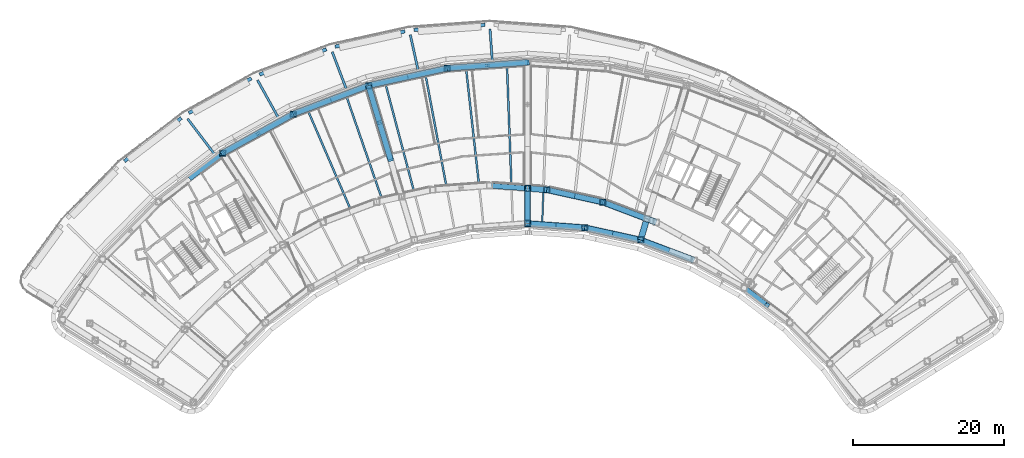
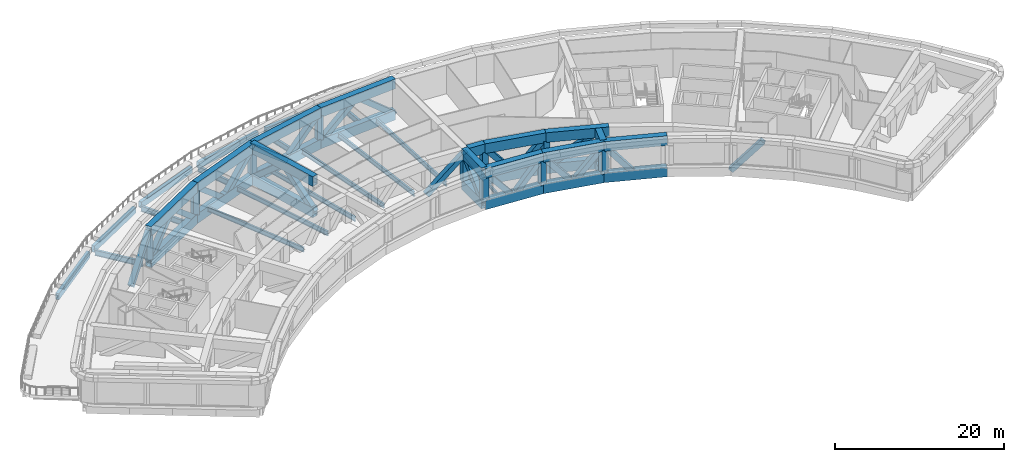
# One storey, part 3 of 24: 43 beams, 34 members.
"""IFC4 building model written with IfcOpenShell, lengths in metres."""

from ifc_helpers import new_model, si_unit, direction, frame, origin, origin_2d, place, context, subcontext, project, spatial, hollow_rectangle, i_section, extrude, material, material_profile, profile_set, type_object, element, save


model = new_model("IFC4")

# Units and contexts
model_context = context("Model", 3, precision=1e-05, world=origin(), true_north=direction((0.0, 1.0)))
body_context = subcontext(model_context, "Body", "Model", "MODEL_VIEW")
ifc_project = project(units=[si_unit("LENGTHUNIT", "METRE"), si_unit("AREAUNIT", "SQUARE_METRE"), si_unit("VOLUMEUNIT", "CUBIC_METRE"), si_unit("PLANEANGLEUNIT", "RADIAN"), si_unit("MASSUNIT", "GRAM", prefix="KILO")], contexts=[model_context])

# Site, building, storey
site_placement = place(None, origin())
site = spatial("IfcSite", under=ifc_project, at=site_placement, CompositionType="ELEMENT")
building_placement = place(site_placement, origin())
building = spatial("IfcBuilding", under=site, at=building_placement, Name="Tuul Gate Civic Tower", CompositionType="ELEMENT")
storey_placement = place(building_placement, frame((0.0, 0.0, 94.800048828125)))
storey = spatial("IfcBuildingStorey", under=building, at=storey_placement, Name="Plant and refuge floor 3", CompositionType="ELEMENT", Elevation=94.800048828125)

# Beams
ifc_material_1 = material(Name="Steel S355", Category="steel")
ifc_material_profile_1 = material_profile(ifc_material_1, i_section(OverallWidth=0.199951171875, OverallDepth=0.5, WebThickness=0.010009765625, FlangeThickness=0.01611328125, at=origin_2d()), Name="PG500x200x10x16")
ifc_profile_set_1 = profile_set([ifc_material_profile_1], Name="Steel S355")
beam_type_1 = type_object("IfcBeamType", Name="STR-FLOOR BEAM-PG500x200x10x16", PredefinedType="BEAM", material=ifc_profile_set_1)
beam_1_placement = place(storey_placement, frame((11.781982421875, -7.459716796875, -0.650146484375), z_axis=(0.036995643241, 0.99931542687, 0.0), x_axis=(-0.99931542687, 0.036995643241, 0.0)))
element("IfcBeam", 1, at=beam_1_placement, inside=storey, type_object=beam_type_1, Name="Floor beam", PredefinedType="BEAM", context=body_context, shape_type="SweptSolid", body=[
    extrude(i_section(OverallWidth=0.199951171875, OverallDepth=0.5, WebThickness=0.010009765625, FlangeThickness=0.01611328125, at=origin_2d()), origin(), (0.0, 0.0, 1.0), 3.9462890625),
])
ifc_material_2 = material(Name="Steel S355", Category="steel")
ifc_material_profile_2 = material_profile(ifc_material_2, i_section(OverallWidth=0.25, OverallDepth=0.64990234375, WebThickness=0.011962890625, FlangeThickness=0.02001953125, at=origin_2d()), Name="PG650x250x12x20")
ifc_profile_set_2 = profile_set([ifc_material_profile_2], Name="Steel S355")
beam_type_2 = type_object("IfcBeamType", Name="STR-FLOOR BEAM-PG650x250x12x20", PredefinedType="BEAM", material=ifc_profile_set_2)
beam_2_placement = place(storey_placement, frame((7.6923828125, -2.50732421875, -0.72509765625), z_axis=(-0.03698801377, 0.999315709292, 0.0), x_axis=(-0.999315709292, -0.03698801377, 0.0)))
element("IfcBeam", 2, at=beam_2_placement, inside=storey, type_object=beam_type_2, Name="Floor beam", PredefinedType="BEAM", context=body_context, shape_type="SweptSolid", body=[
    extrude(i_section(OverallWidth=0.25, OverallDepth=0.64990234375, WebThickness=0.011962890625, FlangeThickness=0.02001953125, at=origin_2d()), origin(), (0.0, 0.0, 1.0), 15.656494140625),
])
beam_3_placement = place(storey_placement, frame((3.38427734375, -2.4013671875, -0.72509765625), z_axis=(-0.110781378607, 0.993844799832, 0.0), x_axis=(-0.993844799832, -0.110781378607, 0.0)))
element("IfcBeam", 3, at=beam_3_placement, inside=storey, type_object=beam_type_2, Name="Floor beam", PredefinedType="BEAM", context=body_context, shape_type="SweptSolid", body=[
    extrude(i_section(OverallWidth=0.25, OverallDepth=0.64990234375, WebThickness=0.011962890625, FlangeThickness=0.02001953125, at=origin_2d()), origin(), (0.0, 0.0, 1.0), 15.241455078125),
])
beam_4_placement = place(storey_placement, frame((-0.932861328125, -2.71435546875, -0.72509765625), z_axis=(-0.183982763304, 0.982929469905, 0.0), x_axis=(-0.982929469905, -0.183982763304, 0.0)))
element("IfcBeam", 4, at=beam_4_placement, inside=storey, type_object=beam_type_2, Name="Floor beam", PredefinedType="BEAM", context=body_context, shape_type="SweptSolid", body=[
    extrude(i_section(OverallWidth=0.25, OverallDepth=0.64990234375, WebThickness=0.011962890625, FlangeThickness=0.02001953125, at=origin_2d()), origin(), (0.0, 0.0, 1.0), 14.896728515625),
])
beam_5_placement = place(storey_placement, frame((-5.23046875, -3.383056640625, -0.72509765625), z_axis=(-0.256156289399, 0.966635378724, 0.0), x_axis=(-0.966635378724, -0.256156289399, 0.0)))
element("IfcBeam", 5, at=beam_5_placement, inside=storey, type_object=beam_type_2, Name="Floor beam", PredefinedType="BEAM", context=body_context, shape_type="SweptSolid", body=[
    extrude(i_section(OverallWidth=0.25, OverallDepth=0.64990234375, WebThickness=0.011962890625, FlangeThickness=0.02001953125, at=origin_2d()), origin(), (0.0, 0.0, 1.0), 14.6298828125),
])
beam_6_placement = place(storey_placement, frame((-9.5048828125, -4.324462890625, -0.72509765625), z_axis=(-0.326925758189, 0.945050024407, 0.0), x_axis=(-0.945050024407, -0.326925758189, 0.0)))
element("IfcBeam", 6, at=beam_6_placement, inside=storey, type_object=beam_type_2, Name="Floor beam", PredefinedType="BEAM", context=body_context, shape_type="SweptSolid", body=[
    extrude(i_section(OverallWidth=0.25, OverallDepth=0.64990234375, WebThickness=0.011962890625, FlangeThickness=0.02001953125, at=origin_2d()), origin(), (0.0, 0.0, 1.0), 14.247802734375),
])
beam_7_placement = place(storey_placement, frame((-13.644287109375, -5.768310546875, -0.72509765625), z_axis=(-0.395912174121, 0.918288380838, 0.0), x_axis=(-0.918288380838, -0.395912174121, 0.0)))
element("IfcBeam", 7, at=beam_7_placement, inside=storey, type_object=beam_type_2, Name="Floor beam", PredefinedType="BEAM", context=body_context, shape_type="SweptSolid", body=[
    extrude(i_section(OverallWidth=0.25, OverallDepth=0.64990234375, WebThickness=0.011962890625, FlangeThickness=0.02001953125, at=origin_2d()), origin(), (0.0, 0.0, 1.0), 14.14306640625),
])
ifc_material_3 = material(Name="Steel S355", Category="steel")
ifc_material_profile_3 = material_profile(ifc_material_3, i_section(OverallWidth=0.300048828125, OverallDepth=0.800048828125, WebThickness=0.013916015625, FlangeThickness=0.02490234375, at=origin_2d()), Name="PG800x300x14x25")
ifc_profile_set_3 = profile_set([ifc_material_profile_3], Name="Steel S355")
beam_type_3 = type_object("IfcBeamType", Name="STR-FLOOR BEAM-PG800x300x14x25", PredefinedType="BEAM", material=ifc_profile_set_3)
beam_8_placement = place(storey_placement, frame((4.851318359375, 18.108642578125, -0.800048828125), z_axis=(0.072197887136, -0.997390327351, 0.0), x_axis=(0.997390327351, 0.072197887136, 0.0)))
element("IfcBeam", 8, at=beam_8_placement, inside=storey, type_object=beam_type_3, Name="Terrace beam", PredefinedType="BEAM", context=body_context, shape_type="SweptSolid", body=[
    extrude(i_section(OverallWidth=0.300048828125, OverallDepth=0.800048828125, WebThickness=0.013916015625, FlangeThickness=0.02490234375, at=origin_2d()), origin(), (0.0, 0.0, 1.0), 4.470458984375),
])
beam_9_placement = place(storey_placement, frame((-5.7119140625, 17.34912109375, -0.800048828125), z_axis=(0.215236539038, -0.976561944918, 0.0), x_axis=(0.976561944918, 0.215236539038, 0.0)))
element("IfcBeam", 9, at=beam_9_placement, inside=storey, type_object=beam_type_3, Name="Terrace beam", PredefinedType="BEAM", context=body_context, shape_type="SweptSolid", body=[
    extrude(i_section(OverallWidth=0.300048828125, OverallDepth=0.800048828125, WebThickness=0.013916015625, FlangeThickness=0.02490234375, at=origin_2d()), origin(), (0.0, 0.0, 1.0), 5.082763671875),
])
beam_10_placement = place(storey_placement, frame((-16.0556640625, 15.07568359375, -0.800048828125), z_axis=(0.353734611686, -0.935345831495, 0.0), x_axis=(0.935345831495, 0.353734611686, 0.0)))
element("IfcBeam", 10, at=beam_10_placement, inside=storey, type_object=beam_type_3, Name="Terrace beam", PredefinedType="BEAM", context=body_context, shape_type="SweptSolid", body=[
    extrude(i_section(OverallWidth=0.300048828125, OverallDepth=0.800048828125, WebThickness=0.013916015625, FlangeThickness=0.02490234375, at=origin_2d()), origin(), (0.0, 0.0, 1.0), 5.571044921875),
])
beam_11_placement = place(storey_placement, frame((-25.964111328125, 11.336181640625, -0.800048828125), z_axis=(0.484768069464, -0.874642737824, 0.0), x_axis=(0.874642737824, 0.484768069464, 0.0)))
element("IfcBeam", 11, at=beam_11_placement, inside=storey, type_object=beam_type_3, Name="Terrace beam", PredefinedType="BEAM", context=body_context, shape_type="SweptSolid", body=[
    extrude(i_section(OverallWidth=0.300048828125, OverallDepth=0.800048828125, WebThickness=0.013916015625, FlangeThickness=0.02490234375, at=origin_2d()), origin(), (0.0, 0.0, 1.0), 5.925048828125),
])
beam_12_placement = place(storey_placement, frame((-35.23046875, 6.20654296875, -0.800048828125), z_axis=(0.605797394449, -0.795618952061, 0.0), x_axis=(0.795618952061, 0.605797394449, 0.0)))
element("IfcBeam", 12, at=beam_12_placement, inside=storey, type_object=beam_type_3, Name="Terrace beam", PredefinedType="BEAM", context=body_context, shape_type="SweptSolid", body=[
    extrude(i_section(OverallWidth=0.300048828125, OverallDepth=0.800048828125, WebThickness=0.013916015625, FlangeThickness=0.02490234375, at=origin_2d()), origin(), (0.0, 0.0, 1.0), 6.135009765625),
])
ifc_material_4 = material(Name="Steel S355", Category="steel")
ifc_material_profile_4 = material_profile(ifc_material_4, hollow_rectangle(XDim=0.449951171875, YDim=0.89990234375, WallThickness=0.02490234375, at=origin_2d()), Name="BOX900x450x25")
ifc_profile_set_4 = profile_set([ifc_material_profile_4], Name="Steel S355")
beam_type_4 = type_object("IfcBeamType", Name="STR-SPANDREL BEAM-BOX900x450x25", PredefinedType="BEAM", material=ifc_profile_set_4)
beam_13_placement = place(storey_placement, frame((4.20947265625, 18.66357421875, -0.85009765625), z_axis=(-0.99738202317, -0.072312515214, 0.0), x_axis=(0.072312515214, -0.99738202317, 0.0)))
element("IfcBeam", 13, at=beam_13_placement, inside=storey, type_object=beam_type_4, Name="Terrace edge beam", PredefinedType="BEAM", context=body_context, shape_type="SweptSolid", body=[
    extrude(hollow_rectangle(XDim=0.449951171875, YDim=0.89990234375, WallThickness=0.02490234375, at=origin_2d()), origin(), (0.0, 0.0, 1.0), 9.47705078125),
])
beam_14_placement = place(storey_placement, frame((-6.427001953125, 17.805908203125, -0.85009765625), z_axis=(-0.97656320303, -0.215230830708, 0.0), x_axis=(0.215230830708, -0.97656320303, 0.0)))
element("IfcBeam", 14, at=beam_14_placement, inside=storey, type_object=beam_type_4, Name="Terrace edge beam", PredefinedType="BEAM", context=body_context, shape_type="SweptSolid", body=[
    extrude(hollow_rectangle(XDim=0.449951171875, YDim=0.89990234375, WallThickness=0.02490234375, at=origin_2d()), origin(), (0.0, 0.0, 1.0), 9.477294921875),
])
beam_15_placement = place(storey_placement, frame((-16.829345703125, 15.4248046875, -0.85009765625), z_axis=(-0.935376104649, -0.353654552993, 0.0), x_axis=(0.353654552993, -0.935376104649, 0.0)))
element("IfcBeam", 15, at=beam_15_placement, inside=storey, type_object=beam_type_4, Name="Terrace edge beam", PredefinedType="BEAM", context=body_context, shape_type="SweptSolid", body=[
    extrude(hollow_rectangle(XDim=0.449951171875, YDim=0.89990234375, WallThickness=0.02490234375, at=origin_2d()), origin(), (0.0, 0.0, 1.0), 9.47705078125),
])
beam_16_placement = place(storey_placement, frame((-26.77978515625, 11.570068359375, -0.85009765625), z_axis=(-0.874608888761, -0.484829136604, 0.0), x_axis=(0.484829136604, -0.874608888761, 0.0)))
element("IfcBeam", 16, at=beam_16_placement, inside=storey, type_object=beam_type_4, Name="Terrace edge beam", PredefinedType="BEAM", context=body_context, shape_type="SweptSolid", body=[
    extrude(hollow_rectangle(XDim=0.449951171875, YDim=0.89990234375, WallThickness=0.02490234375, at=origin_2d()), origin(), (0.0, 0.0, 1.0), 9.47802734375),
])
beam_17_placement = place(storey_placement, frame((-36.0712890625, 6.320556640625, -0.85009765625), z_axis=(-0.795635695058, -0.605775404543, 0.0), x_axis=(0.605775404543, -0.795635695058, 0.0)))
element("IfcBeam", 17, at=beam_17_placement, inside=storey, type_object=beam_type_4, Name="Terrace edge beam", PredefinedType="BEAM", context=body_context, shape_type="SweptSolid", body=[
    extrude(hollow_rectangle(XDim=0.449951171875, YDim=0.89990234375, WallThickness=0.02490234375, at=origin_2d()), origin(), (0.0, 0.0, 1.0), 9.47705078125),
])
ifc_material_5 = material(Name="Steel S460", Category="steel")
ifc_material_profile_5 = material_profile(ifc_material_5, hollow_rectangle(XDim=0.800048828125, YDim=1.39990234375, WallThickness=0.0400390625, at=origin_2d()), Name="BOX1400x800x40")
ifc_profile_set_5 = profile_set([ifc_material_profile_5], Name="Steel S460")
beam_type_5 = type_object("IfcBeamType", Name="STR-TRANSFER TRUSS CHORD-BOX1400x800x40", PredefinedType="BEAM", material=ifc_profile_set_5)
for number, where, z_axis, x_axis, name in (
    (18, (-11.248046875, 10.616943359375, -1.10009765625), (0.285205348588, -0.958466436103, 0.0), (0.958466436103, 0.285205348588, 0.0), "Radial truss bottom chord"),
    (19, (-11.248046875, 10.616943359375, 3.39990234375), (0.285205348588, -0.958466436103, 0.0), (0.958466436103, 0.285205348588, 0.0), "Radial truss top chord"),
):
    element("IfcBeam", number, at=place(storey_placement, frame(where, z_axis=z_axis, x_axis=x_axis)), inside=storey, type_object=beam_type_5, Name=name, PredefinedType="BEAM", context=body_context, shape_type="SweptSolid", body=[
        extrude(hollow_rectangle(XDim=0.800048828125, YDim=1.39990234375, WallThickness=0.0400390625, at=origin_2d()), origin(), (0.0, 0.0, 1.0), 10.238037109375),
    ])
for number, where, z_axis, x_axis, name in (
    (20, (25.535400390625, -7.430419921875, -1.10009765625), (-0.285157428038, -0.958480694242, 0.0), (0.958480694242, -0.285157428038, 0.0), "Radial truss bottom chord"),
    (21, (25.535400390625, -7.430419921875, 3.39990234375), (-0.285157428038, -0.958480694242, 0.0), (0.958480694242, -0.285157428038, 0.0), "Radial truss top chord"),
):
    element("IfcBeam", number, at=place(storey_placement, frame(where, z_axis=z_axis, x_axis=x_axis)), inside=storey, type_object=beam_type_5, Name=name, PredefinedType="BEAM", context=body_context, shape_type="SweptSolid", body=[
        extrude(hollow_rectangle(XDim=0.800048828125, YDim=1.39990234375, WallThickness=0.0400390625, at=origin_2d()), origin(), (0.0, 0.0, 1.0), 2.526611328125),
    ])
for number, where, z_axis, x_axis, name in (
    (22, (9.8291015625, -3.012939453125, -1.10009765625), (0.0, -1.0, 0.0), (1.0, 0.0, 0.0), "Radial truss bottom chord"),
    (23, (9.8291015625, -3.012939453125, 3.39990234375), (0.0, -1.0, 0.0), (1.0, 0.0, 0.0), "Radial truss top chord"),
):
    element("IfcBeam", number, at=place(storey_placement, frame(where, z_axis=z_axis, x_axis=x_axis)), inside=storey, type_object=beam_type_5, Name=name, PredefinedType="BEAM", context=body_context, shape_type="SweptSolid", body=[
        extrude(hollow_rectangle(XDim=0.800048828125, YDim=1.39990234375, WallThickness=0.0400390625, at=origin_2d()), origin(), (0.0, 0.0, 1.0), 4.656005859375),
    ])
for number, where, z_axis, x_axis, name in (
    (24, (9.8291015625, 13.68603515625, -1.10009765625), (-0.997389881268, -0.072204049356, 0.0), (0.072204049356, -0.997389881268, 0.0), "Belt truss bottom chord"),
    (25, (9.8291015625, 13.68603515625, 3.39990234375), (-0.997389881268, -0.072204049356, 0.0), (0.072204049356, -0.997389881268, 0.0), "Belt truss top chord"),
):
    element("IfcBeam", number, at=place(storey_placement, frame(where, z_axis=z_axis, x_axis=x_axis)), inside=storey, type_object=beam_type_5, Name=name, PredefinedType="BEAM", context=body_context, shape_type="SweptSolid", body=[
        extrude(hollow_rectangle(XDim=0.800048828125, YDim=1.39990234375, WallThickness=0.0400390625, at=origin_2d()), origin(), (0.0, 0.0, 1.0), 10.677978515625),
    ])
for number, where, z_axis, x_axis, name in (
    (26, (-21.235107421875, 6.840087890625, -1.10009765625), (-0.874643264425, -0.484767119342, 0.0), (0.484767119342, -0.874643264425, 0.0), "Belt truss bottom chord"),
    (27, (-21.235107421875, 6.840087890625, 3.39990234375), (-0.874643264425, -0.484767119342, 0.0), (0.484767119342, -0.874643264425, 0.0), "Belt truss top chord"),
    (28, (-11.248046875, 10.616943359375, -1.10009765625), (-0.93534924264, -0.353725591797, 0.0), (0.353725591797, -0.93534924264, 0.0), "Belt truss bottom chord"),
    (29, (-11.248046875, 10.616943359375, 3.39990234375), (-0.93534924264, -0.353725591797, 0.0), (0.353725591797, -0.93534924264, 0.0), "Belt truss top chord"),
    (30, (-0.821044921875, 12.9150390625, -1.10009765625), (-0.976562731161, -0.215232971702, 0.0), (0.215232971702, -0.976562731161, 0.0), "Belt truss bottom chord"),
    (31, (-0.821044921875, 12.9150390625, 3.39990234375), (-0.976562731161, -0.215232971702, 0.0), (0.215232971702, -0.976562731161, 0.0), "Belt truss top chord"),
):
    element("IfcBeam", number, at=place(storey_placement, frame(where, z_axis=z_axis, x_axis=x_axis)), inside=storey, type_object=beam_type_5, Name=name, PredefinedType="BEAM", context=body_context, shape_type="SweptSolid", body=[
        extrude(hollow_rectangle(XDim=0.800048828125, YDim=1.39990234375, WallThickness=0.0400390625, at=origin_2d()), origin(), (0.0, 0.0, 1.0), 10.67724609375),
    ])
for number, where, z_axis, x_axis, name in (
    (32, (19.7939453125, -4.8310546875, -1.10009765625), (0.935323649079, -0.353793260922, 0.0), (0.353793260922, 0.935323649079, 0.0), "Belt truss bottom chord"),
    (33, (19.7939453125, -4.8310546875, 3.39990234375), (0.935323649079, -0.353793260922, 0.0), (0.353793260922, 0.935323649079, 0.0), "Belt truss top chord"),
    (34, (17.40087890625, -8.218017578125, -1.10009765625), (0.976563150076, -0.215231070978, 0.0), (0.215231070978, 0.976563150076, 0.0), "Belt truss bottom chord"),
    (35, (17.40087890625, -8.218017578125, 3.39990234375), (0.976563150076, -0.215231070978, 0.0), (0.215231070978, 0.976563150076, 0.0), "Belt truss top chord"),
):
    element("IfcBeam", number, at=place(storey_placement, frame(where, z_axis=z_axis, x_axis=x_axis)), inside=storey, type_object=beam_type_5, Name=name, PredefinedType="BEAM", context=body_context, shape_type="SweptSolid", body=[
        extrude(hollow_rectangle(XDim=0.800048828125, YDim=1.39990234375, WallThickness=0.0400390625, at=origin_2d()), origin(), (0.0, 0.0, 1.0), 7.592041015625),
    ])
for number, where, z_axis, x_axis, name in (
    (36, (10.22900390625, -3.0419921875, -1.10009765625), (0.997379944585, -0.072341178728, 0.0), (0.072341178728, 0.997379944585, 0.0), "Belt truss bottom chord"),
    (37, (10.22900390625, -3.0419921875, 3.39990234375), (0.997379944585, -0.072341178728, 0.0), (0.072341178728, 0.997379944585, 0.0), "Belt truss top chord"),
):
    element("IfcBeam", number, at=place(storey_placement, frame(where, z_axis=z_axis, x_axis=x_axis)), inside=storey, type_object=beam_type_5, Name=name, PredefinedType="BEAM", context=body_context, shape_type="SweptSolid", body=[
        extrude(hollow_rectangle(XDim=0.800048828125, YDim=1.39990234375, WallThickness=0.0400390625, at=origin_2d()), origin(), (0.0, 0.0, 1.0), 2.156494140625),
    ])
for number, where, z_axis, x_axis, name in (
    (38, (9.8291015625, -7.6689453125, -1.10009765625), (0.997381065387, -0.072325724384, 0.0), (0.072325724384, 0.997381065387, 0.0), "Belt truss bottom chord"),
    (39, (9.8291015625, -7.6689453125, 3.39990234375), (0.997381065387, -0.072325724384, 0.0), (0.072325724384, 0.997381065387, 0.0), "Belt truss top chord"),
):
    element("IfcBeam", number, at=place(storey_placement, frame(where, z_axis=z_axis, x_axis=x_axis)), inside=storey, type_object=beam_type_5, Name=name, PredefinedType="BEAM", context=body_context, shape_type="SweptSolid", body=[
        extrude(hollow_rectangle(XDim=0.800048828125, YDim=1.39990234375, WallThickness=0.0400390625, at=origin_2d()), origin(), (0.0, 0.0, 1.0), 7.591552734375),
    ])
for number, where, z_axis, x_axis, name in (
    (40, (12.3798828125, -3.197998046875, -1.10009765625), (0.976590179554, -0.215108394067, 0.0), (0.215108394067, 0.976590179554, 0.0), "Belt truss bottom chord"),
    (41, (12.3798828125, -3.197998046875, 3.39990234375), (0.976590179554, -0.215108394067, 0.0), (0.215108394067, 0.976590179554, 0.0), "Belt truss top chord"),
):
    element("IfcBeam", number, at=place(storey_placement, frame(where, z_axis=z_axis, x_axis=x_axis)), inside=storey, type_object=beam_type_5, Name=name, PredefinedType="BEAM", context=body_context, shape_type="SweptSolid", body=[
        extrude(hollow_rectangle(XDim=0.800048828125, YDim=1.39990234375, WallThickness=0.0400390625, at=origin_2d()), origin(), (0.0, 0.0, 1.0), 7.591796875),
    ])
for number, where, z_axis, x_axis, name in (
    (42, (24.81494140625, -9.85205078125, -1.10009765625), (0.935350115118, -0.353723284714, 0.0), (0.353723284714, 0.935350115118, 0.0), "Belt truss bottom chord"),
    (43, (24.81494140625, -9.85205078125, 3.39990234375), (0.935350115118, -0.353723284714, 0.0), (0.353723284714, 0.935350115118, 0.0), "Belt truss top chord"),
):
    element("IfcBeam", number, at=place(storey_placement, frame(where, z_axis=z_axis, x_axis=x_axis)), inside=storey, type_object=beam_type_5, Name=name, PredefinedType="BEAM", context=body_context, shape_type="SweptSolid", body=[
        extrude(hollow_rectangle(XDim=0.800048828125, YDim=1.39990234375, WallThickness=0.0400390625, at=origin_2d()), origin(), (0.0, 0.0, 1.0), 7.5908203125),
    ])

# Members
ifc_material_6 = material(Name="Steel S355", Category="steel")
ifc_material_profile_6 = material_profile(ifc_material_6, hollow_rectangle(XDim=0.699951171875, YDim=0.699951171875, WallThickness=0.031982421875, at=origin_2d()), Name="BOX700x700x32")
ifc_profile_set_6 = profile_set([ifc_material_profile_6], Name="Steel S355")
member_type_1 = type_object("IfcMemberType", Name="STR-TRANSFER TRUSS DIAGONAL-BOX700x700x32", PredefinedType="BRACE", material=ifc_profile_set_6)
for number, where, z_axis, x_axis, name in (
    (44, (-11.2490234375, 10.62060546875, -1.103271484375), (0.214212956963, -0.719861407886, 0.660236595855), (0.958463547896, 0.285215054574, 0.0), "Radial truss web"),
    (45, (-8.326904296875, 0.80078125, -1.103271484375), (-0.214212956963, 0.719861407886, 0.660236595855), (-0.958463547896, -0.285215054574, 0.0), "Radial truss web"),
):
    element("IfcMember", number, at=place(storey_placement, frame(where, z_axis=z_axis, x_axis=x_axis)), inside=storey, type_object=member_type_1, Name=name, PredefinedType="BRACE", context=body_context, shape_type="SweptSolid", body=[
        extrude(hollow_rectangle(XDim=0.699951171875, YDim=0.699951171875, WallThickness=0.031982421875, at=origin_2d()), origin(), (0.0, 0.0, 1.0), 6.82568359375),
    ])
member_1_placement = place(storey_placement, frame((25.650634765625, -7.04345703125, -1.104248046875), z_axis=(-0.155518102094, -0.522660661854, 0.838236215199), x_axis=(0.958469958656, -0.285193510366, 0.0)))
element("IfcMember", 46, at=member_1_placement, inside=storey, type_object=member_type_1, Name="Radial truss web", PredefinedType="BRACE", context=body_context, shape_type="SweptSolid", body=[
    extrude(hollow_rectangle(XDim=0.699951171875, YDim=0.699951171875, WallThickness=0.031982421875, at=origin_2d()), origin(), (0.0, 0.0, 1.0), 5.37841796875),
])
member_2_placement = place(storey_placement, frame((9.8291015625, -7.672607421875, -1.103515625), z_axis=(0.0, 0.719051081506, 0.694957223277), x_axis=(-1.0, 0.0, 0.0)))
element("IfcMember", 47, at=member_2_placement, inside=storey, type_object=member_type_1, Name="Radial truss web", PredefinedType="BRACE", context=body_context, shape_type="SweptSolid", body=[
    extrude(hollow_rectangle(XDim=0.699951171875, YDim=0.699951171875, WallThickness=0.031982421875, at=origin_2d()), origin(), (0.0, 0.0, 1.0), 6.485107421875),
])
for number, where, z_axis, x_axis, name in (
    (48, (9.832763671875, 13.686279296875, -1.103271484375), (-0.762630047029, -0.055201817798, 0.644475112538), (0.07219460139, -0.99739056519, 0.0), "Belt truss web"),
    (49, (-0.82470703125, 12.914794921875, -1.103271484375), (0.762630047029, 0.055201817798, 0.644475112538), (-0.07219460139, 0.99739056519, 0.0), "Belt truss web"),
    (50, (-21.231689453125, 6.841796875, -1.103271484375), (-0.668784058054, -0.370634999282, 0.644482413259), (0.484731525989, -0.874662990936, 0.0), "Belt truss web"),
    (51, (-30.577392578125, 1.662109375, -1.103271484375), (0.66877540298, 0.37066511841, 0.644474072685), (-0.484766459991, 0.874643629867, 0.0), "Belt truss web"),
    (52, (-16.2451171875, 8.72705078125, -1.103271484375), (0.715180934911, 0.270492930858, 0.644476380247), (-0.35375930341, 0.935336493061, 0.0), "Belt truss web"),
):
    element("IfcMember", number, at=place(storey_placement, frame(where, z_axis=z_axis, x_axis=x_axis)), inside=storey, type_object=member_type_1, Name=name, PredefinedType="BRACE", context=body_context, shape_type="SweptSolid", body=[
        extrude(hollow_rectangle(XDim=0.699951171875, YDim=0.699951171875, WallThickness=0.031982421875, at=origin_2d()), origin(), (0.0, 0.0, 1.0), 6.9921875),
    ])
member_3_placement = place(storey_placement, frame((-16.238037109375, 8.729736328125, -1.103271484375), z_axis=(-0.715170631674, -0.270467323159, 0.64449856066), x_axis=(0.353734461939, -0.935345888127, 0.0)))
element("IfcMember", 53, at=member_3_placement, inside=storey, type_object=member_type_1, Name="Belt truss web", PredefinedType="BRACE", context=body_context, shape_type="SweptSolid", body=[
    extrude(hollow_rectangle(XDim=0.699951171875, YDim=0.699951171875, WallThickness=0.031982421875, at=origin_2d()), origin(), (0.0, 0.0, 1.0), 6.991943359375),
])
for number, where, z_axis, x_axis, name in (
    (54, (-6.038330078125, 11.76513671875, -1.103271484375), (0.746692629504, 0.164562186713, 0.644491585475), (-0.215223296771, 0.976564863451, 0.0), "Belt truss web"),
    (55, (-6.03076171875, 11.766845703125, -1.103271484375), (-0.746692629504, -0.164562186713, 0.644491585475), (0.215223296771, -0.976564863451, 0.0), "Belt truss web"),
):
    element("IfcMember", number, at=place(storey_placement, frame(where, z_axis=z_axis, x_axis=x_axis)), inside=storey, type_object=member_type_1, Name=name, PredefinedType="BRACE", context=body_context, shape_type="SweptSolid", body=[
        extrude(hollow_rectangle(XDim=0.699951171875, YDim=0.699951171875, WallThickness=0.031982421875, at=origin_2d()), origin(), (0.0, 0.0, 1.0), 6.9921875),
    ])
member_4_placement = place(storey_placement, frame((-34.824462890625, -1.572265625, -1.103271484375), z_axis=(0.608334355251, 0.463181909218, 0.644508984572), x_axis=(-0.605785883419, 0.795627716617, 0.0)))
element("IfcMember", 56, at=member_4_placement, inside=storey, type_object=member_type_1, Name="Belt truss web", PredefinedType="BRACE", context=body_context, shape_type="SweptSolid", body=[
    extrude(hollow_rectangle(XDim=0.699951171875, YDim=0.699951171875, WallThickness=0.031982421875, at=origin_2d()), origin(), (0.0, 0.0, 1.0), 6.991943359375),
])
member_5_placement = place(storey_placement, frame((38.552490234375, -16.216064453125, -1.103759765625), z_axis=(0.513050918323, -0.390594320534, 0.7643394743), x_axis=(0.605747217095, 0.795657155427, 0.0)))
element("IfcMember", 57, at=member_5_placement, inside=storey, type_object=member_type_1, Name="Belt truss web", PredefinedType="BRACE", context=body_context, shape_type="SweptSolid", body=[
    extrude(hollow_rectangle(XDim=0.699951171875, YDim=0.699951171875, WallThickness=0.031982421875, at=origin_2d()), origin(), (0.0, 0.0, 1.0), 5.897216796875),
])
member_6_placement = place(storey_placement, frame((19.790283203125, -4.82958984375, -1.10302734375), z_axis=(0.759486306578, -0.287274051006, 0.583655865848), x_axis=(0.353785286068, 0.935326665589, 0.0)))
element("IfcMember", 58, at=member_6_placement, inside=storey, type_object=member_type_1, Name="Belt truss web", PredefinedType="BRACE", context=body_context, shape_type="SweptSolid", body=[
    extrude(hollow_rectangle(XDim=0.699951171875, YDim=0.699951171875, WallThickness=0.031982421875, at=origin_2d()), origin(), (0.0, 0.0, 1.0), 7.719970703125),
])
member_7_placement = place(storey_placement, frame((21.111083984375, -9.03564453125, -1.103759765625), z_axis=(-0.62965920142, 0.138774254925, 0.764376213809), x_axis=(-0.215230464031, -0.976563283844, 0.0)))
element("IfcMember", 59, at=member_7_placement, inside=storey, type_object=member_type_1, Name="Belt truss web", PredefinedType="BRACE", context=body_context, shape_type="SweptSolid", body=[
    extrude(hollow_rectangle(XDim=0.699951171875, YDim=0.699951171875, WallThickness=0.031982421875, at=origin_2d()), origin(), (0.0, 0.0, 1.0), 5.89697265625),
])
member_8_placement = place(storey_placement, frame((21.104736328125, -9.034423828125, -1.103759765625), z_axis=(0.629684186818, -0.138770637358, 0.764356288048), x_axis=(0.215216968894, 0.976566258018, 0.0)))
element("IfcMember", 60, at=member_8_placement, inside=storey, type_object=member_type_1, Name="Belt truss web", PredefinedType="BRACE", context=body_context, shape_type="SweptSolid", body=[
    extrude(hollow_rectangle(XDim=0.699951171875, YDim=0.699951171875, WallThickness=0.031982421875, at=origin_2d()), origin(), (0.0, 0.0, 1.0), 5.897216796875),
])
member_9_placement = place(storey_placement, frame((4.80419921875, -2.648681640625, -1.103271484375), z_axis=(0.743616105211, -0.053938071621, 0.666427619852), x_axis=(0.072344770983, 0.997379684028, 0.0)))
element("IfcMember", 61, at=member_9_placement, inside=storey, type_object=member_type_1, Name="Belt truss web", PredefinedType="BRACE", context=body_context, shape_type="SweptSolid", body=[
    extrude(hollow_rectangle(XDim=0.699951171875, YDim=0.699951171875, WallThickness=0.031982421875, at=origin_2d()), origin(), (0.0, 0.0, 1.0), 6.76220703125),
])
member_10_placement = place(storey_placement, frame((12.382568359375, -3.1982421875, -1.1044921875), z_axis=(-0.492868809075, 0.035729458079, 0.869369738872), x_axis=(-0.072303101583, -0.997382705636, 0.0)))
element("IfcMember", 62, at=member_10_placement, inside=storey, type_object=member_type_1, Name="Belt truss web", PredefinedType="BRACE", context=body_context, shape_type="SweptSolid", body=[
    extrude(hollow_rectangle(XDim=0.699951171875, YDim=0.699951171875, WallThickness=0.031982421875, at=origin_2d()), origin(), (0.0, 0.0, 1.0), 5.186279296875),
])
for number, where, z_axis, x_axis, name in (
    (63, (13.6181640625, -7.94384765625, -1.103759765625), (-0.643100178458, 0.046657261563, 0.764359379095), (-0.072360347011, -0.997378554101, 0.0), "Belt truss web"),
    (64, (13.61181640625, -7.943359375, -1.103759765625), (0.643101420115, -0.046615952044, 0.764360854872), (0.072296476587, 0.997383185878, 0.0), "Belt truss web"),
):
    element("IfcMember", number, at=place(storey_placement, frame(where, z_axis=z_axis, x_axis=x_axis)), inside=storey, type_object=member_type_1, Name=name, PredefinedType="BRACE", context=body_context, shape_type="SweptSolid", body=[
        extrude(hollow_rectangle(XDim=0.699951171875, YDim=0.699951171875, WallThickness=0.031982421875, at=origin_2d()), origin(), (0.0, 0.0, 1.0), 5.897216796875),
    ])
member_11_placement = place(storey_placement, frame((16.090087890625, -4.01513671875, -1.103759765625), z_axis=(-0.629666434566, 0.138693047261, 0.764384994503), x_axis=(-0.21510798873, -0.976590268836, 0.0)))
element("IfcMember", 65, at=member_11_placement, inside=storey, type_object=member_type_1, Name="Belt truss web", PredefinedType="BRACE", context=body_context, shape_type="SweptSolid", body=[
    extrude(hollow_rectangle(XDim=0.699951171875, YDim=0.699951171875, WallThickness=0.031982421875, at=origin_2d()), origin(), (0.0, 0.0, 1.0), 5.89697265625),
])
member_12_placement = place(storey_placement, frame((16.083740234375, -4.013916015625, -1.103759765625), z_axis=(0.629691419874, -0.138689431728, 0.764365068056), x_axis=(0.215094500527, 0.976593239708, 0.0)))
element("IfcMember", 66, at=member_12_placement, inside=storey, type_object=member_type_1, Name="Belt truss web", PredefinedType="BRACE", context=body_context, shape_type="SweptSolid", body=[
    extrude(hollow_rectangle(XDim=0.699951171875, YDim=0.699951171875, WallThickness=0.031982421875, at=origin_2d()), origin(), (0.0, 0.0, 1.0), 5.897216796875),
])
member_13_placement = place(storey_placement, frame((28.367919921875, -11.195556640625, -1.103759765625), z_axis=(-0.603034685588, 0.228047720441, 0.764423577069), x_axis=(-0.353719007445, -0.93535173265, 0.0)))
element("IfcMember", 67, at=member_13_placement, inside=storey, type_object=member_type_1, Name="Belt truss web", PredefinedType="BRACE", context=body_context, shape_type="SweptSolid", body=[
    extrude(hollow_rectangle(XDim=0.699951171875, YDim=0.699951171875, WallThickness=0.031982421875, at=origin_2d()), origin(), (0.0, 0.0, 1.0), 5.896728515625),
])
ifc_material_7 = material(Name="Steel S355", Category="steel")
ifc_material_profile_7 = material_profile(ifc_material_7, hollow_rectangle(XDim=0.800048828125, YDim=0.800048828125, WallThickness=0.034912109375, at=origin_2d()), Name="BOX800x800x35")
ifc_profile_set_7 = profile_set([ifc_material_profile_7], Name="Steel S355")
member_type_2 = type_object("IfcMemberType", Name="STR-TRUSS POST-BOX800x800x35", PredefinedType="POST", material=ifc_profile_set_7)
for number, where, z_axis, x_axis, name in (
    (68, (-30.573974609375, 1.6640625, -0.594970703125), (0.0, 0.0, 1.0), (1.0, 0.0, 0.0), "Radial truss post"),
    (69, (-11.248046875, 10.616943359375, -0.594970703125), (0.0, 0.0, 1.0), (1.0, 0.0, 0.0), "Radial truss post"),
    (70, (24.81494140625, -9.85205078125, -0.594970703125), (0.0, 0.0, 1.0), (1.0, 0.0, 0.0), "Radial truss post"),
    (71, (9.8291015625, -3.012939453125, -0.594970703125), (0.0, 0.0, 1.0), (1.0, 0.0, 0.0), "Radial truss post"),
    (72, (9.8291015625, -7.6689453125, -0.594970703125), (0.0, 0.0, 1.0), (1.0, 0.0, 0.0), "Radial truss post"),
    (73, (-0.821044921875, 12.9150390625, -0.594970703125), (0.0, 0.0, 1.0), (1.0, 0.0, 0.0), "Belt truss post"),
    (74, (-21.235107421875, 6.840087890625, -0.594970703125), (0.0, 0.0, 1.0), (1.0, 0.0, 0.0), "Belt truss post"),
    (75, (19.7939453125, -4.8310546875, -0.594970703125), (0.0, 0.0, 1.0), (1.0, 0.0, 0.0), "Belt truss post"),
    (76, (17.40087890625, -8.218017578125, -0.594970703125), (0.0, 0.0, 1.0), (1.0, 0.0, 0.0), "Belt truss post"),
    (77, (12.3798828125, -3.197998046875, -0.594970703125), (0.0, 0.0, 1.0), (1.0, 0.0, 0.0), "Belt truss post"),
):
    element("IfcMember", number, at=place(storey_placement, frame(where, z_axis=z_axis, x_axis=x_axis)), inside=storey, type_object=member_type_2, Name=name, PredefinedType="POST", context=body_context, shape_type="SweptSolid", body=[
        extrude(hollow_rectangle(XDim=0.800048828125, YDim=0.800048828125, WallThickness=0.034912109375, at=origin_2d()), origin(), (0.0, 0.0, 1.0), 3.489990234375),
    ])

save(model, "model.ifc")
